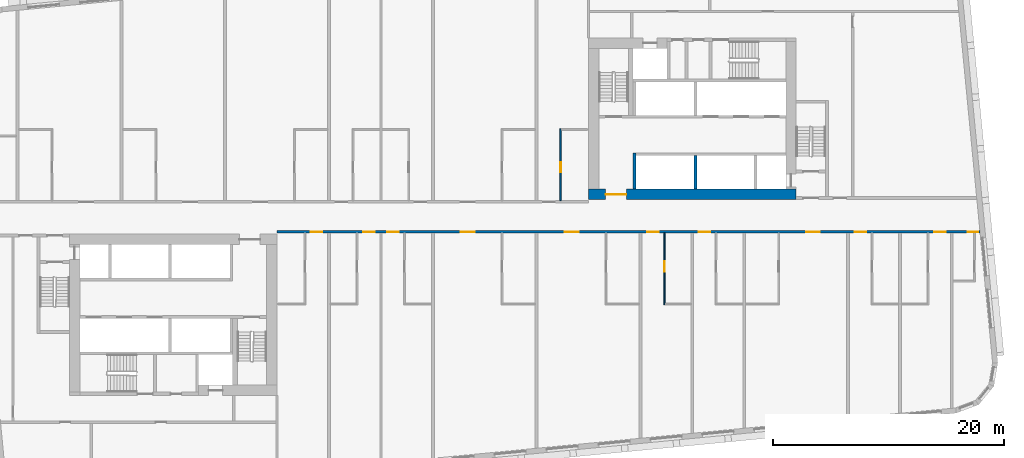
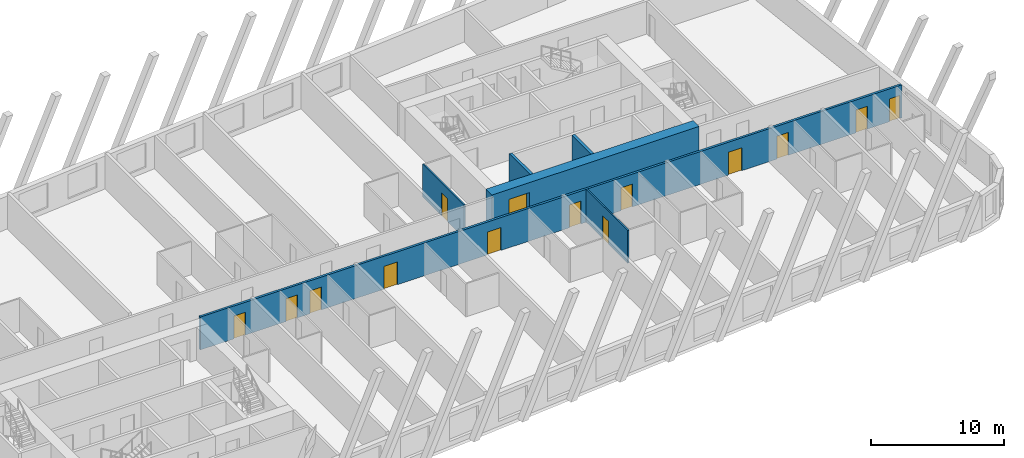
# One storey, part 5 of 13: 14 doors, 6 walls, 14 openings.
"""IFC4 building model written with IfcOpenShell, lengths in metres."""

from ifc_helpers import new_model, si_unit, direction, frame, frame_2d, origin, place, context, subcontext, project, spatial, rectangle, extrude, material, layer, layer_set, type_object, element, fill, save


model = new_model("IFC4")

# Units and contexts
model_context = context("Model", 3, precision=1e-05, world=origin(), true_north=direction((0.0, 1.0)))
body_context = subcontext(model_context, "Body", "Model", "MODEL_VIEW")
ifc_project = project(units=[si_unit("LENGTHUNIT", "METRE"), si_unit("AREAUNIT", "SQUARE_METRE"), si_unit("VOLUMEUNIT", "CUBIC_METRE"), si_unit("PLANEANGLEUNIT", "RADIAN"), si_unit("MASSUNIT", "GRAM", prefix="KILO")], contexts=[model_context])

# Site, building, storey
site_placement = place(None, origin())
site = spatial("IfcSite", under=ifc_project, at=site_placement, CompositionType="ELEMENT")
building_placement = place(site_placement, origin())
building = spatial("IfcBuilding", under=site, at=building_placement, Name="Kajstack Hotel Tower", CompositionType="ELEMENT")
storey_placement = place(building_placement, frame((0.0, 0.0, 140.5)))
storey = spatial("IfcBuildingStorey", under=building, at=storey_placement, Name="L32", CompositionType="ELEMENT", Elevation=140.5)

# Wall, opening, door
ifc_material_1 = material(Name="Concrete C60/75", Category="concrete")
ifc_layer_1 = layer(ifc_material_1, 0.89990234375)
ifc_layer_set_1 = layer_set([ifc_layer_1], Name="Core wall 900")
wall_type_1 = type_object("IfcWallType", Name="Core wall 900", PredefinedType="SHEAR", material=ifc_layer_set_1)
wall_1_placement = place(storey_placement, frame((13.5, 1.949951171875, 0.0), z_axis=(0.0, 0.0, 1.0), x_axis=(1.0, 0.0, 0.0)))
wall_1 = element("IfcWall", 1, at=wall_1_placement, inside=storey, type_object=wall_type_1, Name="Core wall E RN", PredefinedType="SHEAR", context=body_context, shape_type="SweptSolid", body=[
    extrude(rectangle(XDim=18.0, YDim=0.89990234375, at=frame_2d((9.0, 0.0))), origin(), (0.0, 0.0, 1.0), 3.02001953125),
])
opening_1_placement = place(wall_1_placement, frame((1.47509765625, 0.0, 0.0)))
opening_1 = element("IfcOpeningElement", 2, at=opening_1_placement, cuts=wall_1, Name="Opening 32E06", PredefinedType="OPENING", context=body_context, shape_type="SweptSolid", body=[
    extrude(rectangle(XDim=1.800048828125, YDim=2.10009765625, at=frame_2d((0.89990234375, 1.050048828125))), frame((0.0, 0.4599609375, 0.0), z_axis=(0.0, -1.0, 0.0), x_axis=(1.0, 0.0, 0.0)), (0.0, 0.0, 1.0), 0.919921875),
])
ifc_material_2 = material(Name="Glazed steel frame, fire-rated glass", Category="steel")
door_type_1 = type_object("IfcDoorType", Name="Lobby double door 1800", OperationType="DOUBLE_DOOR_DOUBLE_SWING", PredefinedType="DOOR", material=ifc_material_2)
door_1_placement = place(opening_1_placement, origin())
door_1 = element("IfcDoor", 3, at=door_1_placement, inside=storey, type_object=door_type_1, Name="Door 32E06", OperationType="DOUBLE_DOOR_DOUBLE_SWING", OverallHeight=2.10009765625, OverallWidth=1.800048828125, PredefinedType="DOOR", context=body_context, shape_type="SweptSolid", body=[
    extrude(rectangle(XDim=1.800048828125, YDim=2.10009765625, at=frame_2d((0.89990234375, 1.050048828125))), frame((0.0, 0.02490234375, 0.0), z_axis=(0.0, -1.0, 0.0), x_axis=(1.0, 0.0, 0.0)), (0.0, 0.0, 1.0), 0.050048828125),
])
fill(opening_1, door_1)

# Wall, openings, doors
ifc_material_3 = material(Name="Gypsum board on steel studs, mineral wool", Category="steel")
ifc_layer_2 = layer(ifc_material_3, 0.199951171875)
ifc_layer_set_2 = layer_set([ifc_layer_2], Name="Corridor wall 200")
wall_type_2 = type_object("IfcWallType", Name="Corridor wall 200", PredefinedType="PARTITIONING", material=ifc_layer_set_2)
wall_2_placement = place(storey_placement, frame((-13.5, -1.300048828125, 0.0), z_axis=(0.0, 0.0, 1.0), x_axis=(1.0, 0.0, 0.0)))
wall_2 = element("IfcWall", 4, at=wall_2_placement, inside=storey, type_object=wall_type_2, Name="G-wall-L32-021", PredefinedType="PARTITIONING", context=body_context, shape_type="SweptSolid", body=[
    extrude(rectangle(XDim=60.931884765625, YDim=0.199951171875, at=frame_2d((30.4658203125, 0.0))), origin(), (0.0, 0.0, 1.0), 3.02001953125),
])
opening_2_placement = place(wall_2_placement, frame((2.925048828125, 0.0, 0.0)))
opening_2 = element("IfcOpeningElement", 5, at=opening_2_placement, cuts=wall_2, Name="Opening 32017", PredefinedType="OPENING", context=body_context, shape_type="SweptSolid", body=[
    extrude(rectangle(XDim=1.0, YDim=2.10009765625, at=frame_2d((0.5, 1.050048828125))), frame((0.0, 0.10986328125, 0.0), z_axis=(0.0, -1.0, 0.0), x_axis=(1.0, 0.0, 0.0)), (0.0, 0.0, 1.0), 0.219970703125),
])
opening_3_placement = place(wall_2_placement, frame((7.449951171875, 0.0, 0.0)))
opening_3 = element("IfcOpeningElement", 6, at=opening_3_placement, cuts=wall_2, Name="Opening 32019", PredefinedType="OPENING", context=body_context, shape_type="SweptSolid", body=[
    extrude(rectangle(XDim=1.0, YDim=2.10009765625, at=frame_2d((0.5, 1.050048828125))), frame((0.0, 0.10986328125, 0.0), z_axis=(0.0, -1.0, 0.0), x_axis=(1.0, 0.0, 0.0)), (0.0, 0.0, 1.0), 0.219970703125),
])
opening_4_placement = place(wall_2_placement, frame((9.550048828125, 0.0, 0.0)))
opening_4 = element("IfcOpeningElement", 7, at=opening_4_placement, cuts=wall_2, Name="Opening 32021", PredefinedType="OPENING", context=body_context, shape_type="SweptSolid", body=[
    extrude(rectangle(XDim=1.0, YDim=2.10009765625, at=frame_2d((0.5, 1.050048828125))), frame((0.0, 0.10986328125, 0.0), z_axis=(0.0, -1.0, 0.0), x_axis=(1.0, 0.0, 0.0)), (0.0, 0.0, 1.0), 0.219970703125),
])
opening_5_placement = place(wall_2_placement, frame((15.93798828125, 0.0, 0.0)))
opening_5 = element("IfcOpeningElement", 8, at=opening_5_placement, cuts=wall_2, Name="Opening 32023", PredefinedType="OPENING", context=body_context, shape_type="SweptSolid", body=[
    extrude(rectangle(XDim=1.199951171875, YDim=2.10009765625, at=frame_2d((0.60009765625, 1.050048828125))), frame((0.0, 0.10986328125, 0.0), z_axis=(0.0, -1.0, 0.0), x_axis=(1.0, 0.0, 0.0)), (0.0, 0.0, 1.0), 0.219970703125),
])
opening_6_placement = place(wall_2_placement, frame((24.93798828125, 0.0, 0.0)))
opening_6 = element("IfcOpeningElement", 9, at=opening_6_placement, cuts=wall_2, Name="Opening 32025", PredefinedType="OPENING", context=body_context, shape_type="SweptSolid", body=[
    extrude(rectangle(XDim=1.199951171875, YDim=2.10009765625, at=frame_2d((0.60009765625, 1.050048828125))), frame((0.0, 0.10986328125, 0.0), z_axis=(0.0, -1.0, 0.0), x_axis=(1.0, 0.0, 0.0)), (0.0, 0.0, 1.0), 0.219970703125),
])
opening_7_placement = place(wall_2_placement, frame((32.074951171875, 0.0, 0.0)))
opening_7 = element("IfcOpeningElement", 10, at=opening_7_placement, cuts=wall_2, Name="Opening 32027", PredefinedType="OPENING", context=body_context, shape_type="SweptSolid", body=[
    extrude(rectangle(XDim=1.0, YDim=2.10009765625, at=frame_2d((0.5, 1.050048828125))), frame((0.0, 0.10986328125, 0.0), z_axis=(0.0, -1.0, 0.0), x_axis=(1.0, 0.0, 0.0)), (0.0, 0.0, 1.0), 0.219970703125),
])
opening_8_placement = place(wall_2_placement, frame((36.550048828125, 0.0, 0.0)))
opening_8 = element("IfcOpeningElement", 11, at=opening_8_placement, cuts=wall_2, Name="Opening 32029", PredefinedType="OPENING", context=body_context, shape_type="SweptSolid", body=[
    extrude(rectangle(XDim=1.0, YDim=2.10009765625, at=frame_2d((0.5, 1.050048828125))), frame((0.0, 0.10986328125, 0.0), z_axis=(0.0, -1.0, 0.0), x_axis=(1.0, 0.0, 0.0)), (0.0, 0.0, 1.0), 0.219970703125),
])
opening_9_placement = place(wall_2_placement, frame((45.862060546875, 0.0, 0.0)))
opening_9 = element("IfcOpeningElement", 12, at=opening_9_placement, cuts=wall_2, Name="Opening 32031", PredefinedType="OPENING", context=body_context, shape_type="SweptSolid", body=[
    extrude(rectangle(XDim=1.199951171875, YDim=2.10009765625, at=frame_2d((0.60009765625, 1.050048828125))), frame((0.0, 0.10986328125, 0.0), z_axis=(0.0, -1.0, 0.0), x_axis=(1.0, 0.0, 0.0)), (0.0, 0.0, 1.0), 0.219970703125),
])
opening_10_placement = place(wall_2_placement, frame((50.074951171875, 0.0, 0.0)))
opening_10 = element("IfcOpeningElement", 13, at=opening_10_placement, cuts=wall_2, Name="Opening 32033", PredefinedType="OPENING", context=body_context, shape_type="SweptSolid", body=[
    extrude(rectangle(XDim=1.0, YDim=2.10009765625, at=frame_2d((0.5, 1.050048828125))), frame((0.0, 0.10986328125, 0.0), z_axis=(0.0, -1.0, 0.0), x_axis=(1.0, 0.0, 0.0)), (0.0, 0.0, 1.0), 0.219970703125),
])
opening_11_placement = place(wall_2_placement, frame((56.949951171875, 0.0, 0.0)))
opening_11 = element("IfcOpeningElement", 14, at=opening_11_placement, cuts=wall_2, Name="Opening 32035", PredefinedType="OPENING", context=body_context, shape_type="SweptSolid", body=[
    extrude(rectangle(XDim=1.0, YDim=2.10009765625, at=frame_2d((0.5, 1.050048828125))), frame((0.0, 0.10986328125, 0.0), z_axis=(0.0, -1.0, 0.0), x_axis=(1.0, 0.0, 0.0)), (0.0, 0.0, 1.0), 0.219970703125),
])
opening_12_placement = place(wall_2_placement, frame((59.882080078125, 0.0, 0.0)))
opening_12 = element("IfcOpeningElement", 15, at=opening_12_placement, cuts=wall_2, Name="Opening 32037", PredefinedType="OPENING", context=body_context, shape_type="SweptSolid", body=[
    extrude(rectangle(XDim=0.89990234375, YDim=2.10009765625, at=frame_2d((0.449951171875, 1.050048828125))), frame((0.0, 0.10986328125, 0.0), z_axis=(0.0, -1.0, 0.0), x_axis=(1.0, 0.0, 0.0)), (0.0, 0.0, 1.0), 0.219970703125),
])
ifc_material_4 = material(Name="Oak veneer on timber core, fire-rated leaf", Category="wood")
door_type_2 = type_object("IfcDoorType", Name="Flat entrance door 1000", OperationType="SINGLE_SWING_LEFT", PredefinedType="DOOR", material=ifc_material_4)
door_2_placement = place(opening_2_placement, origin())
door_2 = element("IfcDoor", 16, at=door_2_placement, inside=storey, type_object=door_type_2, Name="G-door-L32-17", OperationType="SINGLE_SWING_RIGHT", OverallHeight=2.10009765625, OverallWidth=1.0, PredefinedType="DOOR", context=body_context, shape_type="SweptSolid", body=[
    extrude(rectangle(XDim=1.0, YDim=2.10009765625, at=frame_2d((0.5, 1.050048828125))), frame((0.0, 0.02490234375, 0.0), z_axis=(0.0, -1.0, 0.0), x_axis=(1.0, 0.0, 0.0)), (0.0, 0.0, 1.0), 0.050048828125),
])
fill(opening_2, door_2)
door_3_placement = place(opening_3_placement, origin())
door_3 = element("IfcDoor", 17, at=door_3_placement, inside=storey, type_object=door_type_2, Name="G-door-L32-19", OperationType="SINGLE_SWING_LEFT", OverallHeight=2.10009765625, OverallWidth=1.0, PredefinedType="DOOR", context=body_context, shape_type="SweptSolid", body=[
    extrude(rectangle(XDim=1.0, YDim=2.10009765625, at=frame_2d((0.5, 1.050048828125))), frame((0.0, 0.02490234375, 0.0), z_axis=(0.0, -1.0, 0.0), x_axis=(1.0, 0.0, 0.0)), (0.0, 0.0, 1.0), 0.050048828125),
])
fill(opening_3, door_3)
door_4_placement = place(opening_4_placement, origin())
door_4 = element("IfcDoor", 18, at=door_4_placement, inside=storey, type_object=door_type_2, Name="G-door-L32-21", OperationType="SINGLE_SWING_RIGHT", OverallHeight=2.10009765625, OverallWidth=1.0, PredefinedType="DOOR", context=body_context, shape_type="SweptSolid", body=[
    extrude(rectangle(XDim=1.0, YDim=2.10009765625, at=frame_2d((0.5, 1.050048828125))), frame((0.0, 0.02490234375, 0.0), z_axis=(0.0, -1.0, 0.0), x_axis=(1.0, 0.0, 0.0)), (0.0, 0.0, 1.0), 0.050048828125),
])
fill(opening_4, door_4)
door_5_placement = place(opening_7_placement, origin())
door_5 = element("IfcDoor", 19, at=door_5_placement, inside=storey, type_object=door_type_2, Name="G-door-L32-27", OperationType="SINGLE_SWING_LEFT", OverallHeight=2.10009765625, OverallWidth=1.0, PredefinedType="DOOR", context=body_context, shape_type="SweptSolid", body=[
    extrude(rectangle(XDim=1.0, YDim=2.10009765625, at=frame_2d((0.5, 1.050048828125))), frame((0.0, 0.02490234375, 0.0), z_axis=(0.0, -1.0, 0.0), x_axis=(1.0, 0.0, 0.0)), (0.0, 0.0, 1.0), 0.050048828125),
])
fill(opening_7, door_5)
door_6_placement = place(opening_8_placement, origin())
door_6 = element("IfcDoor", 20, at=door_6_placement, inside=storey, type_object=door_type_2, Name="G-door-L32-29", OperationType="SINGLE_SWING_LEFT", OverallHeight=2.10009765625, OverallWidth=1.0, PredefinedType="DOOR", context=body_context, shape_type="SweptSolid", body=[
    extrude(rectangle(XDim=1.0, YDim=2.10009765625, at=frame_2d((0.5, 1.050048828125))), frame((0.0, 0.02490234375, 0.0), z_axis=(0.0, -1.0, 0.0), x_axis=(1.0, 0.0, 0.0)), (0.0, 0.0, 1.0), 0.050048828125),
])
fill(opening_8, door_6)
door_7_placement = place(opening_10_placement, origin())
door_7 = element("IfcDoor", 21, at=door_7_placement, inside=storey, type_object=door_type_2, Name="G-door-L32-33", OperationType="SINGLE_SWING_LEFT", OverallHeight=2.10009765625, OverallWidth=1.0, PredefinedType="DOOR", context=body_context, shape_type="SweptSolid", body=[
    extrude(rectangle(XDim=1.0, YDim=2.10009765625, at=frame_2d((0.5, 1.050048828125))), frame((0.0, 0.02490234375, 0.0), z_axis=(0.0, -1.0, 0.0), x_axis=(1.0, 0.0, 0.0)), (0.0, 0.0, 1.0), 0.050048828125),
])
fill(opening_10, door_7)
door_8_placement = place(opening_11_placement, origin())
door_8 = element("IfcDoor", 22, at=door_8_placement, inside=storey, type_object=door_type_2, Name="G-door-L32-35", OperationType="SINGLE_SWING_RIGHT", OverallHeight=2.10009765625, OverallWidth=1.0, PredefinedType="DOOR", context=body_context, shape_type="SweptSolid", body=[
    extrude(rectangle(XDim=1.0, YDim=2.10009765625, at=frame_2d((0.5, 1.050048828125))), frame((0.0, 0.02490234375, 0.0), z_axis=(0.0, -1.0, 0.0), x_axis=(1.0, 0.0, 0.0)), (0.0, 0.0, 1.0), 0.050048828125),
])
fill(opening_11, door_8)
door_type_3 = type_object("IfcDoorType", Name="Flat entrance door 1200", OperationType="SINGLE_SWING_LEFT", PredefinedType="DOOR", material=ifc_material_4)
door_9_placement = place(opening_5_placement, origin())
door_9 = element("IfcDoor", 23, at=door_9_placement, inside=storey, type_object=door_type_3, Name="G-door-L32-23", OperationType="SINGLE_SWING_RIGHT", OverallHeight=2.10009765625, OverallWidth=1.199951171875, PredefinedType="DOOR", context=body_context, shape_type="SweptSolid", body=[
    extrude(rectangle(XDim=1.199951171875, YDim=2.10009765625, at=frame_2d((0.60009765625, 1.050048828125))), frame((0.0, 0.02490234375, 0.0), z_axis=(0.0, -1.0, 0.0), x_axis=(1.0, 0.0, 0.0)), (0.0, 0.0, 1.0), 0.050048828125),
])
fill(opening_5, door_9)
door_10_placement = place(opening_6_placement, origin())
door_10 = element("IfcDoor", 24, at=door_10_placement, inside=storey, type_object=door_type_3, Name="G-door-L32-25", OperationType="SINGLE_SWING_RIGHT", OverallHeight=2.10009765625, OverallWidth=1.199951171875, PredefinedType="DOOR", context=body_context, shape_type="SweptSolid", body=[
    extrude(rectangle(XDim=1.199951171875, YDim=2.10009765625, at=frame_2d((0.60009765625, 1.050048828125))), frame((0.0, 0.02490234375, 0.0), z_axis=(0.0, -1.0, 0.0), x_axis=(1.0, 0.0, 0.0)), (0.0, 0.0, 1.0), 0.050048828125),
])
fill(opening_6, door_10)
door_11_placement = place(opening_9_placement, origin())
door_11 = element("IfcDoor", 25, at=door_11_placement, inside=storey, type_object=door_type_3, Name="G-door-L32-31", OperationType="SINGLE_SWING_RIGHT", OverallHeight=2.10009765625, OverallWidth=1.199951171875, PredefinedType="DOOR", context=body_context, shape_type="SweptSolid", body=[
    extrude(rectangle(XDim=1.199951171875, YDim=2.10009765625, at=frame_2d((0.60009765625, 1.050048828125))), frame((0.0, 0.02490234375, 0.0), z_axis=(0.0, -1.0, 0.0), x_axis=(1.0, 0.0, 0.0)), (0.0, 0.0, 1.0), 0.050048828125),
])
fill(opening_9, door_11)
ifc_material_5 = material(Name="Painted timber door leaf", Category="wood")
door_type_4 = type_object("IfcDoorType", Name="Room door 900", OperationType="SINGLE_SWING_LEFT", PredefinedType="DOOR", material=ifc_material_5)
door_12_placement = place(opening_12_placement, origin())
door_12 = element("IfcDoor", 26, at=door_12_placement, inside=storey, type_object=door_type_4, Name="G-door-L32-37", OperationType="SINGLE_SWING_RIGHT", OverallHeight=2.10009765625, OverallWidth=0.89990234375, PredefinedType="DOOR", context=body_context, shape_type="SweptSolid", body=[
    extrude(rectangle(XDim=0.89990234375, YDim=2.10009765625, at=frame_2d((0.449951171875, 1.050048828125))), frame((0.0, 0.02490234375, 0.0), z_axis=(0.0, -1.0, 0.0), x_axis=(1.0, 0.0, 0.0)), (0.0, 0.0, 1.0), 0.050048828125),
])
fill(opening_12, door_12)

# Wall, opening, door
ifc_material_6 = material(Name="Gypsum board and tiled backer on steel studs", Category="steel")
ifc_layer_3 = layer(ifc_material_6, 0.125)
ifc_layer_set_3 = layer_set([ifc_layer_3], Name="En-suite wall 125")
wall_type_3 = type_object("IfcWallType", Name="En-suite wall 125", PredefinedType="PARTITIONING", material=ifc_layer_set_3)
wall_3_placement = place(storey_placement, frame((11.087890625, 1.39990234375, 0.0), z_axis=(0.0, 0.0, 1.0), x_axis=(0.0, 1.0, 0.0)))
wall_3 = element("IfcWall", 27, at=wall_3_placement, inside=storey, type_object=wall_type_3, Name="G-wall-L32-019", PredefinedType="PARTITIONING", context=body_context, shape_type="SweptSolid", body=[
    extrude(rectangle(XDim=6.22509765625, YDim=0.125, at=frame_2d((3.112548828125, 0.0))), origin(), (0.0, 0.0, 1.0), 3.02001953125),
])
opening_13_placement = place(wall_3_placement, frame((2.449951171875, 0.0, 0.0)))
opening_13 = element("IfcOpeningElement", 28, at=opening_13_placement, cuts=wall_3, Name="Opening 32016", PredefinedType="OPENING", context=body_context, shape_type="SweptSolid", body=[
    extrude(rectangle(XDim=0.89990234375, YDim=2.10009765625, at=frame_2d((0.449951171875, 1.050048828125))), frame((0.0, 0.072509765625, 0.0), z_axis=(0.0, -1.0, 0.0), x_axis=(1.0, 0.0, 0.0)), (0.0, 0.0, 1.0), 0.14501953125),
])
door_13_placement = place(opening_13_placement, origin())
door_13 = element("IfcDoor", 29, at=door_13_placement, inside=storey, type_object=door_type_4, Name="G-door-L32-16", OperationType="SINGLE_SWING_RIGHT", OverallHeight=2.10009765625, OverallWidth=0.89990234375, PredefinedType="DOOR", context=body_context, shape_type="SweptSolid", body=[
    extrude(rectangle(XDim=0.89990234375, YDim=2.10009765625, at=frame_2d((0.449951171875, 1.050048828125))), frame((0.0, 0.02490234375, 0.0), z_axis=(0.0, -1.0, 0.0), x_axis=(1.0, 0.0, 0.0)), (0.0, 0.0, 1.0), 0.050048828125),
])
fill(opening_13, door_13)

wall_4_placement = place(storey_placement, frame((20.0869140625, -7.625, 0.0), z_axis=(0.0, 0.0, 1.0), x_axis=(0.0, 1.0, 0.0)))
wall_4 = element("IfcWall", 30, at=wall_4_placement, inside=storey, type_object=wall_type_3, Name="G-wall-L32-034", PredefinedType="PARTITIONING", context=body_context, shape_type="SweptSolid", body=[
    extrude(rectangle(XDim=6.22509765625, YDim=0.125, at=frame_2d((3.112548828125, 0.0))), origin(), (0.0, 0.0, 1.0), 3.02001953125),
])
opening_14_placement = place(wall_4_placement, frame((2.875, 0.0, 0.0)))
opening_14 = element("IfcOpeningElement", 31, at=opening_14_placement, cuts=wall_4, Name="Opening 32028", PredefinedType="OPENING", context=body_context, shape_type="SweptSolid", body=[
    extrude(rectangle(XDim=0.89990234375, YDim=2.10009765625, at=frame_2d((0.449951171875, 1.050048828125))), frame((0.0, 0.072509765625, 0.0), z_axis=(0.0, -1.0, 0.0), x_axis=(1.0, 0.0, 0.0)), (0.0, 0.0, 1.0), 0.14501953125),
])
door_14_placement = place(opening_14_placement, origin())
door_14 = element("IfcDoor", 32, at=door_14_placement, inside=storey, type_object=door_type_4, Name="G-door-L32-28", OperationType="SINGLE_SWING_RIGHT", OverallHeight=2.10009765625, OverallWidth=0.89990234375, PredefinedType="DOOR", context=body_context, shape_type="SweptSolid", body=[
    extrude(rectangle(XDim=0.89990234375, YDim=2.10009765625, at=frame_2d((0.449951171875, 1.050048828125))), frame((0.0, 0.02490234375, 0.0), z_axis=(0.0, -1.0, 0.0), x_axis=(1.0, 0.0, 0.0)), (0.0, 0.0, 1.0), 0.050048828125),
])
fill(opening_14, door_14)

# Walls
ifc_material_7 = material(Name="Concrete C50/60", Category="concrete")
ifc_layer_4 = layer(ifc_material_7, 0.300048828125)
ifc_layer_set_4 = layer_set([ifc_layer_4], Name="Hoistway divider wall 300")
wall_type_4 = type_object("IfcWallType", Name="Hoistway divider wall 300", PredefinedType="SHEAR", material=ifc_layer_set_4)
wall_5_placement = place(storey_placement, frame((22.77490234375, 2.39990234375, 0.0), z_axis=(0.0, 0.0, 1.0), x_axis=(0.0, 1.0, 0.0)))
element("IfcWall", 33, at=wall_5_placement, inside=storey, type_object=wall_type_4, Name="Core wall E AP2", PredefinedType="SHEAR", context=body_context, shape_type="SweptSolid", body=[
    extrude(rectangle(XDim=2.900146484375, YDim=0.25, at=frame_2d((1.4501953125, 0.0))), origin(), (0.0, 0.0, 1.0), 3.02001953125),
])
ifc_layer_5 = layer(ifc_material_7, 0.25)
ifc_layer_set_5 = layer_set([ifc_layer_5], Name="Shaft wall 250")
wall_type_5 = type_object("IfcWallType", Name="Shaft wall 250", PredefinedType="SHEAR", material=ifc_layer_set_5)
wall_6_placement = place(storey_placement, frame((17.47509765625, 2.39990234375, 0.0), z_axis=(0.0, 0.0, 1.0), x_axis=(0.0, 1.0, 0.0)))
element("IfcWall", 34, at=wall_6_placement, inside=storey, type_object=wall_type_5, Name="Core wall E AE", PredefinedType="SHEAR", context=body_context, shape_type="SweptSolid", body=[
    extrude(rectangle(XDim=3.150146484375, YDim=0.25, at=frame_2d((1.5751953125, 0.0))), origin(), (0.0, 0.0, 1.0), 3.02001953125),
])

save(model, "model.ifc")
